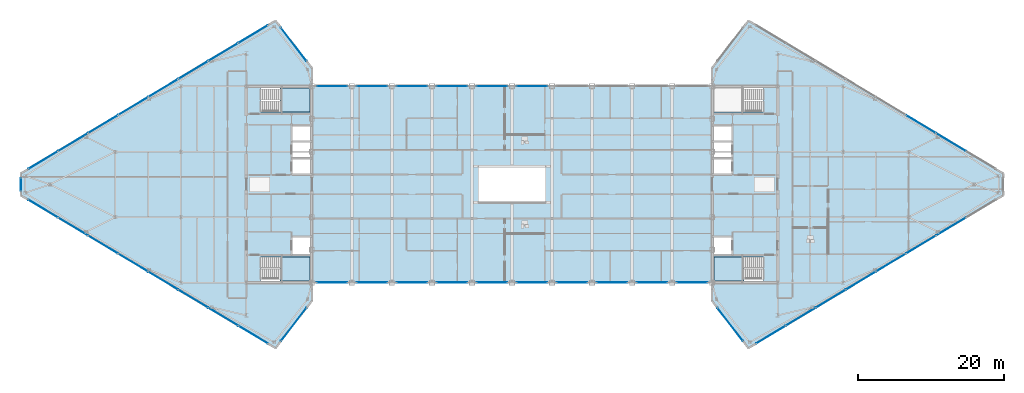
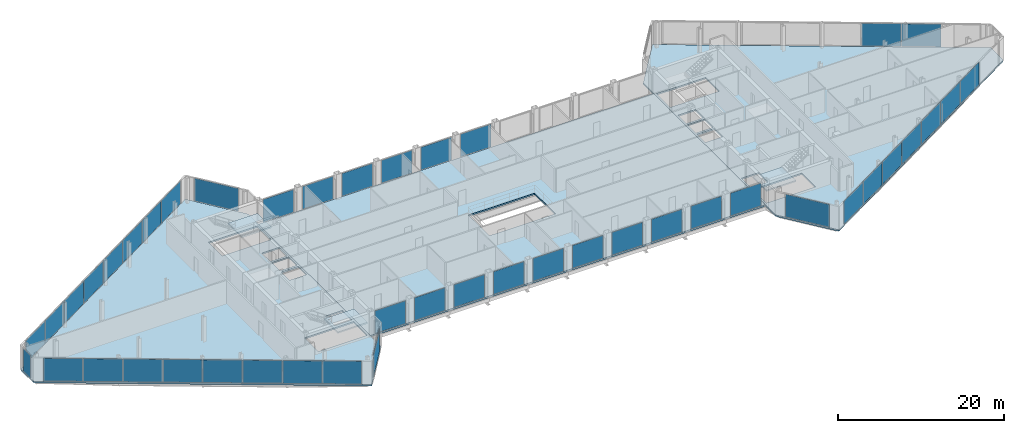
# One storey, part 19 of 28: 45 plates, 6 slabs, 27 elements without a shape of their own.
"""IFC4 building model written with IfcOpenShell, lengths in metres."""

from ifc_helpers import new_model, si_unit, direction, frame, origin, origin_2d, place, context, subcontext, project, spatial, polyline, rectangle, outline, extrude, source, transform, mapped, material, layer, layer_set, type_object, type_shapes, element, aggregate, save


model = new_model("IFC4")

# Units and contexts
model_context = context("Model", 3, precision=1e-05, world=origin(), true_north=direction((0.0, 1.0)))
body_context = subcontext(model_context, "Body", "Model", "MODEL_VIEW")
ifc_project = project(units=[si_unit("LENGTHUNIT", "METRE"), si_unit("AREAUNIT", "SQUARE_METRE"), si_unit("VOLUMEUNIT", "CUBIC_METRE"), si_unit("PLANEANGLEUNIT", "RADIAN"), si_unit("MASSUNIT", "GRAM", prefix="KILO")], contexts=[model_context])

# Site, building, storey
site_placement = place(None, origin())
site = spatial("IfcSite", under=ifc_project, at=site_placement, CompositionType="ELEMENT")
building_placement = place(site_placement, origin())
building = spatial("IfcBuilding", under=site, at=building_placement, Name="Seokmaru Belvedere", CompositionType="ELEMENT")
storey_placement = place(building_placement, frame((0.0, 0.0, 265.64990234375)))
storey = spatial("IfcBuildingStorey", under=building, at=storey_placement, Name="L70", CompositionType="ELEMENT", Elevation=265.64990234375)

# Stair, slab
ifc_material_1 = material(Name="Concrete C40 (40 MPa)", Category="concrete")
stair_type = type_object("IfcStairType", Name="Sky-Gate Residential Core Dog-Leg Stair 3750", PredefinedType="TWO_STRAIGHT_RUN_STAIR", material=ifc_material_1)
stair_1_placement = place(storey_placement, origin())
stair_1 = element("IfcStair", 1, at=stair_1_placement, inside=storey, type_object=stair_type, Name="L70 Special Escape Stair ST-W1", PredefinedType="TWO_STRAIGHT_RUN_STAIR")
ifc_layer_1 = layer(ifc_material_1, 0.199951171875)
ifc_layer_set_1 = layer_set([ifc_layer_1], Name="Concrete C40 (40 MPa)")
slab_type_1 = type_object("IfcSlabType", Name="Reinforced Concrete Stair Landing Slab 200", PredefinedType="LANDING", material=ifc_layer_set_1)
slab_1_placement = place(storey_placement, frame((0.0, 0.0, 1.675048828125)))
slab_1 = element("IfcSlab", 2, at=slab_1_placement, type_object=slab_type_1, Name="ST-W1 landing 1", PredefinedType="LANDING", context=body_context, shape_type="SweptSolid", body=[
    extrude(outline(polyline([(-31.8798828125, -13.239990234375), (-27.760009765625, -13.239990234375), (-27.760009765625, -9.949951171875), (-31.8798828125, -9.949951171875), (-31.8798828125, -13.239990234375)])), origin(), (0.0, 0.0, 1.0), 0.199951171875),
])
aggregate(stair_1, [slab_1])

stair_2_placement = place(storey_placement, origin())
stair_2 = element("IfcStair", 3, at=stair_2_placement, inside=storey, type_object=stair_type, Name="L70 Special Escape Stair ST-W2", PredefinedType="TWO_STRAIGHT_RUN_STAIR")
slab_2_placement = place(storey_placement, frame((0.0, 0.0, 1.675048828125)))
slab_2 = element("IfcSlab", 4, at=slab_2_placement, type_object=slab_type_1, Name="ST-W2 landing 1", PredefinedType="LANDING", context=body_context, shape_type="SweptSolid", body=[
    extrude(outline(polyline([(-31.8798828125, 9.949951171875), (-27.760009765625, 9.949951171875), (-27.760009765625, 13.239990234375), (-31.8798828125, 13.239990234375), (-31.8798828125, 9.949951171875)])), origin(), (0.0, 0.0, 1.0), 0.199951171875),
])
aggregate(stair_2, [slab_2])

stair_3_placement = place(storey_placement, origin())
stair_3 = element("IfcStair", 5, at=stair_3_placement, inside=storey, type_object=stair_type, Name="L70 Special Escape Stair ST-E1", PredefinedType="TWO_STRAIGHT_RUN_STAIR")
slab_3_placement = place(storey_placement, frame((0.0, 0.0, 1.675048828125)))
slab_3 = element("IfcSlab", 6, at=slab_3_placement, type_object=slab_type_1, Name="ST-E1 landing 1", PredefinedType="LANDING", context=body_context, shape_type="SweptSolid", body=[
    extrude(outline(polyline([(27.760009765625, -13.239990234375), (31.8798828125, -13.239990234375), (31.8798828125, -9.949951171875), (27.760009765625, -9.949951171875), (27.760009765625, -13.239990234375)])), origin(), (0.0, 0.0, 1.0), 0.199951171875),
])
aggregate(stair_3, [slab_3])

# Slabs
ifc_layer_2 = layer(ifc_material_1, 0.219970703125)
ifc_layer_set_2 = layer_set([ifc_layer_2], Name="Concrete C40 (40 MPa)")
slab_type_2 = type_object("IfcSlabType", Name="Typical Tower Composite Floor Slab 220", PredefinedType="FLOOR", material=ifc_layer_set_2)
slab_4_placement = place(storey_placement, frame((0.0, 0.0, -0.219970703125)))
element("IfcSlab", 7, at=slab_4_placement, inside=storey, type_object=slab_type_2, Name="L70 West Leg Floor Slab", PredefinedType="FLOOR", context=body_context, shape_type="SweptSolid", body=[
    extrude(outline(polyline([(-27.5, -16.0), (-27.5, 16.0), (-32.5, 22.5), (-67.5, 1.5), (-67.5, -1.5), (-32.5, -22.5), (-27.5, -16.0)]), holes=[polyline([(-34.60009765625, -13.25), (-27.75, -13.25), (-27.75, -9.949951171875), (-34.60009765625, -9.949951171875), (-34.60009765625, -13.25)]), polyline([(-34.60009765625, 9.949951171875), (-27.75, 9.949951171875), (-27.75, 13.25), (-34.60009765625, 13.25), (-34.60009765625, 9.949951171875)]), polyline([(-30.14990234375, -9.550048828125), (-27.75, -9.550048828125), (-27.75, -7.25), (-30.14990234375, -7.25), (-30.14990234375, -9.550048828125)]), polyline([(-30.14990234375, 1.449951171875), (-27.75, 1.449951171875), (-27.75, 3.449951171875), (-30.14990234375, 3.449951171875), (-30.14990234375, 1.449951171875)]), polyline([(-30.14990234375, 3.75), (-27.75, 3.75), (-27.75, 5.75), (-30.14990234375, 5.75), (-30.14990234375, 3.75)]), polyline([(-30.14990234375, 6.050048828125), (-27.75, 6.050048828125), (-27.75, 8.050048828125), (-30.14990234375, 8.050048828125), (-30.14990234375, 6.050048828125)])]), origin(), (0.0, 0.0, 1.0), 0.219970703125),
])
slab_5_placement = place(storey_placement, frame((0.0, 0.0, -0.219970703125)))
element("IfcSlab", 8, at=slab_5_placement, inside=storey, type_object=slab_type_2, Name="L70 East Leg Floor Slab", PredefinedType="FLOOR", context=body_context, shape_type="SweptSolid", body=[
    extrude(outline(polyline([(32.5, -22.5), (67.5, -1.5), (67.5, 1.5), (32.5, 22.5), (27.5, 16.0), (27.5, -16.0), (32.5, -22.5)]), holes=[polyline([(27.75, -13.25), (34.60009765625, -13.25), (34.60009765625, -9.949951171875), (27.75, -9.949951171875), (27.75, -13.25)]), polyline([(27.75, 9.949951171875), (34.60009765625, 9.949951171875), (34.60009765625, 13.25), (27.75, 13.25), (27.75, 9.949951171875)]), polyline([(27.75, -9.550048828125), (30.14990234375, -9.550048828125), (30.14990234375, -7.25), (27.75, -7.25), (27.75, -9.550048828125)]), polyline([(27.75, 1.449951171875), (30.14990234375, 1.449951171875), (30.14990234375, 3.449951171875), (27.75, 3.449951171875), (27.75, 1.449951171875)]), polyline([(27.75, 3.75), (30.14990234375, 3.75), (30.14990234375, 5.75), (27.75, 5.75), (27.75, 3.75)]), polyline([(27.75, 6.050048828125), (30.14990234375, 6.050048828125), (30.14990234375, 8.050048828125), (27.75, 8.050048828125), (27.75, 6.050048828125)])]), origin(), (0.0, 0.0, 1.0), 0.219970703125),
])
slab_6_placement = place(storey_placement, frame((0.0, 0.0, -0.219970703125)))
element("IfcSlab", 9, at=slab_6_placement, inside=storey, type_object=slab_type_2, Name="L70 Sky-Gate Bridge Floor Slab", PredefinedType="FLOOR", context=body_context, shape_type="SweptSolid", body=[
    extrude(outline(polyline([(-27.5, -13.5), (27.5, -13.5), (27.5, 13.5), (-27.5, 13.5), (-27.5, -13.5)]), holes=[polyline([(-4.60009765625, -2.5), (4.60009765625, -2.5), (4.60009765625, 2.5), (-4.60009765625, 2.5), (-4.60009765625, -2.5)])]), origin(), (0.0, 0.0, 1.0), 0.219970703125),
])

# Curtain wall, plate
ifc_material_2 = material(Name="Bronze Triple Insulating Glass", Category="glass")
ifc_layer_3 = layer(ifc_material_2, 0.219970703125)
ifc_layer_set_3 = layer_set([ifc_layer_3], Name="Bronze Triple Insulating Glass")
curtain_wall_type = type_object("IfcCurtainWallType", Name="Sky-Gate Bridge Panorama Curtain Wall System CW-6", PredefinedType="NOTDEFINED", material=ifc_layer_set_3)
curtain_wall_1_placement = place(storey_placement, origin())
curtain_wall_1 = element("IfcCurtainWall", 10, at=curtain_wall_1_placement, inside=storey, type_object=curtain_wall_type, Name="L70 Curtain Wall WF2", PredefinedType="NOTDEFINED")
ifc_layer_4 = layer(ifc_material_2, 0.0419921875)
ifc_layer_set_4 = layer_set([ifc_layer_4], Name="Bronze Triple Insulating Glass")
plate_type = type_object("IfcPlateType", Name="Acoustic Laminated Panorama Glazing Panel 42", PredefinedType="CURTAIN_PANEL", material=ifc_layer_set_4)
shared_shape_1 = source(origin(), body_context, "Body", "SweptSolid", [
    extrude(rectangle(XDim=5.740478515625, YDim=0.0419921875, at=origin_2d()), origin(), (0.0, 0.0, 1.0), 3.340087890625),
])
plate_1_placement = place(storey_placement, frame((-30.0, 19.25, 0.0751953125), z_axis=(0.0, 0.0, 1.0), x_axis=(-0.609701187349, 0.792631353244, 0.0)))
plate_1 = element("IfcPlate", 11, at=plate_1_placement, type_object=plate_type, Name="CW:L70:WF2 Glazing Panel 1-1", PredefinedType="CURTAIN_PANEL", context=body_context, shape_type="MappedRepresentation", body=[
    mapped(shared_shape_1, transform((0.0, 0.0, 0.0), scale=1.0)),
])
aggregate(curtain_wall_1, [plate_1])

curtain_wall_2_placement = place(storey_placement, origin())
curtain_wall_2 = element("IfcCurtainWall", 12, at=curtain_wall_2_placement, inside=storey, type_object=curtain_wall_type, Name="L70 Curtain Wall WF6", PredefinedType="NOTDEFINED")
plate_2_placement = place(storey_placement, frame((-30.0, -19.25, 0.0751953125), z_axis=(0.0, 0.0, 1.0), x_axis=(0.609701187349, 0.792631353244, 0.0)))
plate_2 = element("IfcPlate", 13, at=plate_2_placement, type_object=plate_type, Name="CW:L70:WF6 Glazing Panel 1-1", PredefinedType="CURTAIN_PANEL", context=body_context, shape_type="MappedRepresentation", body=[
    mapped(shared_shape_1, transform((0.0, 0.0, 0.0), scale=1.0)),
])
aggregate(curtain_wall_2, [plate_2])

curtain_wall_3_placement = place(storey_placement, origin())
curtain_wall_3 = element("IfcCurtainWall", 14, at=curtain_wall_3_placement, inside=storey, type_object=curtain_wall_type, Name="L70 Curtain Wall EF6", PredefinedType="NOTDEFINED")
plate_3_placement = place(storey_placement, frame((30.0, -19.25, 0.0751953125), z_axis=(0.0, 0.0, 1.0), x_axis=(0.609701187349, -0.792631353244, 0.0)))
plate_3 = element("IfcPlate", 15, at=plate_3_placement, type_object=plate_type, Name="CW:L70:EF6 Glazing Panel 1-1", PredefinedType="CURTAIN_PANEL", context=body_context, shape_type="MappedRepresentation", body=[
    mapped(shared_shape_1, transform((0.0, 0.0, 0.0), scale=1.0)),
])
aggregate(curtain_wall_3, [plate_3])

# Curtain wall, plates
curtain_wall_4_placement = place(storey_placement, origin())
curtain_wall_4 = element("IfcCurtainWall", 16, at=curtain_wall_4_placement, inside=storey, type_object=curtain_wall_type, Name="L70 Curtain Wall WF3", PredefinedType="NOTDEFINED")
shared_shape_2 = source(origin(), body_context, "Body", "SweptSolid", [
    extrude(rectangle(XDim=4.694580078125, YDim=0.0419921875, at=origin_2d()), origin(), (0.0, 0.0, 1.0), 3.340087890625),
])
plate_4_placement = place(storey_placement, frame((-35.5673828125, 20.659423828125, 0.0751953125), z_axis=(0.0, 0.0, 1.0), x_axis=(-0.85749343335, -0.514494909364, 0.0)))
plate_4 = element("IfcPlate", 17, at=plate_4_placement, type_object=plate_type, Name="CW:L70:WF3 Glazing Panel 1-1", PredefinedType="CURTAIN_PANEL", context=body_context, shape_type="MappedRepresentation", body=[
    mapped(shared_shape_2, transform((0.0, 0.0, 0.0), scale=1.0)),
])
plate_5_placement = place(storey_placement, frame((-64.4326171875, 3.340576171875, 0.0751953125), z_axis=(0.0, 0.0, 1.0), x_axis=(-0.85749343335, -0.514494909364, 0.0)))
plate_5 = element("IfcPlate", 18, at=plate_5_placement, type_object=plate_type, Name="CW:L70:WF3 Glazing Panel 8-1", PredefinedType="CURTAIN_PANEL", context=body_context, shape_type="MappedRepresentation", body=[
    mapped(shared_shape_2, transform((0.0, 0.0, 0.0), scale=1.0)),
])

curtain_wall_5_placement = place(storey_placement, origin())
curtain_wall_5 = element("IfcCurtainWall", 19, at=curtain_wall_5_placement, inside=storey, type_object=curtain_wall_type, Name="L70 Curtain Wall WF5", PredefinedType="NOTDEFINED")
plate_6_placement = place(storey_placement, frame((-64.4326171875, -3.340576171875, 0.0751953125), z_axis=(0.0, 0.0, 1.0), x_axis=(0.85749343335, -0.514494909364, 0.0)))
plate_6 = element("IfcPlate", 20, at=plate_6_placement, type_object=plate_type, Name="CW:L70:WF5 Glazing Panel 1-1", PredefinedType="CURTAIN_PANEL", context=body_context, shape_type="MappedRepresentation", body=[
    mapped(shared_shape_2, transform((0.0, 0.0, 0.0), scale=1.0)),
])
plate_7_placement = place(storey_placement, frame((-35.5673828125, -20.659423828125, 0.0751953125), z_axis=(0.0, 0.0, 1.0), x_axis=(0.85749343335, -0.514494909364, 0.0)))
plate_7 = element("IfcPlate", 21, at=plate_7_placement, type_object=plate_type, Name="CW:L70:WF5 Glazing Panel 8-1", PredefinedType="CURTAIN_PANEL", context=body_context, shape_type="MappedRepresentation", body=[
    mapped(shared_shape_2, transform((0.0, 0.0, 0.0), scale=1.0)),
])

# Curtain wall, plate
curtain_wall_6_placement = place(storey_placement, origin())
curtain_wall_6 = element("IfcCurtainWall", 22, at=curtain_wall_6_placement, inside=storey, type_object=curtain_wall_type, Name="L70 Curtain Wall EF1", PredefinedType="NOTDEFINED")
plate_8_placement = place(storey_placement, frame((35.5673828125, -20.659423828125, 0.0751953125), z_axis=(0.0, 0.0, 1.0), x_axis=(0.85749343335, 0.514494909364, 0.0)))
plate_8 = element("IfcPlate", 23, at=plate_8_placement, type_object=plate_type, Name="CW:L70:EF1 Glazing Panel 1-1", PredefinedType="CURTAIN_PANEL", context=body_context, shape_type="MappedRepresentation", body=[
    mapped(shared_shape_2, transform((0.0, 0.0, 0.0), scale=1.0)),
])

# Plate
shared_shape_3 = source(origin(), body_context, "Body", "SweptSolid", [
    extrude(rectangle(XDim=4.734619140625, YDim=0.0419921875, at=origin_2d()), origin(), (0.0, 0.0, 1.0), 3.340087890625),
])
plate_9_placement = place(storey_placement, frame((-39.6787109375, 18.192626953125, 0.0751953125), z_axis=(0.0, 0.0, 1.0), x_axis=(-0.85749343335, -0.514494909364, 0.0)))
plate_9 = element("IfcPlate", 24, at=plate_9_placement, type_object=plate_type, Name="CW:L70:WF3 Glazing Panel 2-1", PredefinedType="CURTAIN_PANEL", context=body_context, shape_type="MappedRepresentation", body=[
    mapped(shared_shape_3, transform((0.0, 0.0, 0.0), scale=1.0)),
])

plate_10_placement = place(storey_placement, frame((-43.807373046875, 15.715576171875, 0.0751953125), z_axis=(0.0, 0.0, 1.0), x_axis=(-0.85749343335, -0.514494909364, 0.0)))
plate_10 = element("IfcPlate", 25, at=plate_10_placement, type_object=plate_type, Name="CW:L70:WF3 Glazing Panel 3-1", PredefinedType="CURTAIN_PANEL", context=body_context, shape_type="MappedRepresentation", body=[
    mapped(shared_shape_3, transform((0.0, 0.0, 0.0), scale=1.0)),
])

plate_11_placement = place(storey_placement, frame((-47.935791015625, 13.238525390625, 0.0751953125), z_axis=(0.0, 0.0, 1.0), x_axis=(-0.85749343335, -0.514494909364, 0.0)))
plate_11 = element("IfcPlate", 26, at=plate_11_placement, type_object=plate_type, Name="CW:L70:WF3 Glazing Panel 4-1", PredefinedType="CURTAIN_PANEL", context=body_context, shape_type="MappedRepresentation", body=[
    mapped(shared_shape_3, transform((0.0, 0.0, 0.0), scale=1.0)),
])

plate_12_placement = place(storey_placement, frame((-52.064208984375, 10.761474609375, 0.0751953125), z_axis=(0.0, 0.0, 1.0), x_axis=(-0.85749343335, -0.514494909364, 0.0)))
plate_12 = element("IfcPlate", 27, at=plate_12_placement, type_object=plate_type, Name="CW:L70:WF3 Glazing Panel 5-1", PredefinedType="CURTAIN_PANEL", context=body_context, shape_type="MappedRepresentation", body=[
    mapped(shared_shape_3, transform((0.0, 0.0, 0.0), scale=1.0)),
])

plate_13_placement = place(storey_placement, frame((-56.192626953125, 8.284423828125, 0.0751953125), z_axis=(0.0, 0.0, 1.0), x_axis=(-0.85749343335, -0.514494909364, 0.0)))
plate_13 = element("IfcPlate", 28, at=plate_13_placement, type_object=plate_type, Name="CW:L70:WF3 Glazing Panel 6-1", PredefinedType="CURTAIN_PANEL", context=body_context, shape_type="MappedRepresentation", body=[
    mapped(shared_shape_3, transform((0.0, 0.0, 0.0), scale=1.0)),
])

plate_14_placement = place(storey_placement, frame((-60.3212890625, 5.807373046875, 0.0751953125), z_axis=(0.0, 0.0, 1.0), x_axis=(-0.85749343335, -0.514494909364, 0.0)))
plate_14 = element("IfcPlate", 29, at=plate_14_placement, type_object=plate_type, Name="CW:L70:WF3 Glazing Panel 7-1", PredefinedType="CURTAIN_PANEL", context=body_context, shape_type="MappedRepresentation", body=[
    mapped(shared_shape_3, transform((0.0, 0.0, 0.0), scale=1.0)),
])

aggregate(curtain_wall_4, [plate_4, plate_9, plate_10, plate_11, plate_12, plate_13, plate_14, plate_5])

plate_15_placement = place(storey_placement, frame((-60.3212890625, -5.807373046875, 0.0751953125), z_axis=(0.0, 0.0, 1.0), x_axis=(0.85749343335, -0.514494909364, 0.0)))
plate_15 = element("IfcPlate", 30, at=plate_15_placement, type_object=plate_type, Name="CW:L70:WF5 Glazing Panel 2-1", PredefinedType="CURTAIN_PANEL", context=body_context, shape_type="MappedRepresentation", body=[
    mapped(shared_shape_3, transform((0.0, 0.0, 0.0), scale=1.0)),
])

plate_16_placement = place(storey_placement, frame((-56.192626953125, -8.284423828125, 0.0751953125), z_axis=(0.0, 0.0, 1.0), x_axis=(0.85749343335, -0.514494909364, 0.0)))
plate_16 = element("IfcPlate", 31, at=plate_16_placement, type_object=plate_type, Name="CW:L70:WF5 Glazing Panel 3-1", PredefinedType="CURTAIN_PANEL", context=body_context, shape_type="MappedRepresentation", body=[
    mapped(shared_shape_3, transform((0.0, 0.0, 0.0), scale=1.0)),
])

plate_17_placement = place(storey_placement, frame((-52.064208984375, -10.761474609375, 0.0751953125), z_axis=(0.0, 0.0, 1.0), x_axis=(0.85749343335, -0.514494909364, 0.0)))
plate_17 = element("IfcPlate", 32, at=plate_17_placement, type_object=plate_type, Name="CW:L70:WF5 Glazing Panel 4-1", PredefinedType="CURTAIN_PANEL", context=body_context, shape_type="MappedRepresentation", body=[
    mapped(shared_shape_3, transform((0.0, 0.0, 0.0), scale=1.0)),
])

plate_18_placement = place(storey_placement, frame((-47.935791015625, -13.238525390625, 0.0751953125), z_axis=(0.0, 0.0, 1.0), x_axis=(0.85749343335, -0.514494909364, 0.0)))
plate_18 = element("IfcPlate", 33, at=plate_18_placement, type_object=plate_type, Name="CW:L70:WF5 Glazing Panel 5-1", PredefinedType="CURTAIN_PANEL", context=body_context, shape_type="MappedRepresentation", body=[
    mapped(shared_shape_3, transform((0.0, 0.0, 0.0), scale=1.0)),
])

plate_19_placement = place(storey_placement, frame((-43.807373046875, -15.715576171875, 0.0751953125), z_axis=(0.0, 0.0, 1.0), x_axis=(0.85749343335, -0.514494909364, 0.0)))
plate_19 = element("IfcPlate", 34, at=plate_19_placement, type_object=plate_type, Name="CW:L70:WF5 Glazing Panel 6-1", PredefinedType="CURTAIN_PANEL", context=body_context, shape_type="MappedRepresentation", body=[
    mapped(shared_shape_3, transform((0.0, 0.0, 0.0), scale=1.0)),
])

plate_20_placement = place(storey_placement, frame((-39.6787109375, -18.192626953125, 0.0751953125), z_axis=(0.0, 0.0, 1.0), x_axis=(0.85749343335, -0.514494909364, 0.0)))
plate_20 = element("IfcPlate", 35, at=plate_20_placement, type_object=plate_type, Name="CW:L70:WF5 Glazing Panel 7-1", PredefinedType="CURTAIN_PANEL", context=body_context, shape_type="MappedRepresentation", body=[
    mapped(shared_shape_3, transform((0.0, 0.0, 0.0), scale=1.0)),
])

aggregate(curtain_wall_5, [plate_6, plate_15, plate_16, plate_17, plate_18, plate_19, plate_20, plate_7])

plate_21_placement = place(storey_placement, frame((39.6787109375, -18.192626953125, 0.0751953125), z_axis=(0.0, 0.0, 1.0), x_axis=(0.85749343335, 0.514494909364, 0.0)))
plate_21 = element("IfcPlate", 36, at=plate_21_placement, type_object=plate_type, Name="CW:L70:EF1 Glazing Panel 2-1", PredefinedType="CURTAIN_PANEL", context=body_context, shape_type="MappedRepresentation", body=[
    mapped(shared_shape_3, transform((0.0, 0.0, 0.0), scale=1.0)),
])

plate_22_placement = place(storey_placement, frame((43.807373046875, -15.715576171875, 0.0751953125), z_axis=(0.0, 0.0, 1.0), x_axis=(0.85749343335, 0.514494909364, 0.0)))
plate_22 = element("IfcPlate", 37, at=plate_22_placement, type_object=plate_type, Name="CW:L70:EF1 Glazing Panel 3-1", PredefinedType="CURTAIN_PANEL", context=body_context, shape_type="MappedRepresentation", body=[
    mapped(shared_shape_3, transform((0.0, 0.0, 0.0), scale=1.0)),
])

plate_23_placement = place(storey_placement, frame((47.935791015625, -13.238525390625, 0.0751953125), z_axis=(0.0, 0.0, 1.0), x_axis=(0.85749343335, 0.514494909364, 0.0)))
plate_23 = element("IfcPlate", 38, at=plate_23_placement, type_object=plate_type, Name="CW:L70:EF1 Glazing Panel 4-1", PredefinedType="CURTAIN_PANEL", context=body_context, shape_type="MappedRepresentation", body=[
    mapped(shared_shape_3, transform((0.0, 0.0, 0.0), scale=1.0)),
])

plate_24_placement = place(storey_placement, frame((52.064208984375, -10.761474609375, 0.0751953125), z_axis=(0.0, 0.0, 1.0), x_axis=(0.85749343335, 0.514494909364, 0.0)))
plate_24 = element("IfcPlate", 39, at=plate_24_placement, type_object=plate_type, Name="CW:L70:EF1 Glazing Panel 5-1", PredefinedType="CURTAIN_PANEL", context=body_context, shape_type="MappedRepresentation", body=[
    mapped(shared_shape_3, transform((0.0, 0.0, 0.0), scale=1.0)),
])

plate_25_placement = place(storey_placement, frame((56.192626953125, -8.284423828125, 0.0751953125), z_axis=(0.0, 0.0, 1.0), x_axis=(0.85749343335, 0.514494909364, 0.0)))
plate_25 = element("IfcPlate", 40, at=plate_25_placement, type_object=plate_type, Name="CW:L70:EF1 Glazing Panel 6-1", PredefinedType="CURTAIN_PANEL", context=body_context, shape_type="MappedRepresentation", body=[
    mapped(shared_shape_3, transform((0.0, 0.0, 0.0), scale=1.0)),
])

plate_26_placement = place(storey_placement, frame((60.3212890625, -5.807373046875, 0.0751953125), z_axis=(0.0, 0.0, 1.0), x_axis=(0.85749343335, 0.514494909364, 0.0)))
plate_26 = element("IfcPlate", 41, at=plate_26_placement, type_object=plate_type, Name="CW:L70:EF1 Glazing Panel 7-1", PredefinedType="CURTAIN_PANEL", context=body_context, shape_type="MappedRepresentation", body=[
    mapped(shared_shape_3, transform((0.0, 0.0, 0.0), scale=1.0)),
])

aggregate(curtain_wall_6, [plate_8, plate_21, plate_22, plate_23, plate_24, plate_25, plate_26])

# Curtain wall, plates
curtain_wall_7_placement = place(storey_placement, origin())
curtain_wall_7 = element("IfcCurtainWall", 42, at=curtain_wall_7_placement, inside=storey, type_object=curtain_wall_type, Name="L70 Curtain Wall EF3", PredefinedType="NOTDEFINED")
plate_27_placement = place(storey_placement, frame((60.3212890625, 5.807373046875, 0.0751953125), z_axis=(0.0, 0.0, 1.0), x_axis=(-0.85749343335, 0.514494909364, 0.0)))
plate_27 = element("IfcPlate", 43, at=plate_27_placement, type_object=plate_type, Name="CW:L70:EF3 Glazing Panel 2-1", PredefinedType="CURTAIN_PANEL", context=body_context, shape_type="MappedRepresentation", body=[
    mapped(shared_shape_3, transform((0.0, 0.0, 0.0), scale=1.0)),
])
plate_28_placement = place(storey_placement, frame((56.192626953125, 8.284423828125, 0.0751953125), z_axis=(0.0, 0.0, 1.0), x_axis=(-0.85749343335, 0.514494909364, 0.0)))
plate_28 = element("IfcPlate", 44, at=plate_28_placement, type_object=plate_type, Name="CW:L70:EF3 Glazing Panel 3-1", PredefinedType="CURTAIN_PANEL", context=body_context, shape_type="MappedRepresentation", body=[
    mapped(shared_shape_3, transform((0.0, 0.0, 0.0), scale=1.0)),
])
aggregate(curtain_wall_7, [plate_27, plate_28])

# Curtain wall, plate
curtain_wall_8_placement = place(storey_placement, origin())
curtain_wall_8 = element("IfcCurtainWall", 45, at=curtain_wall_8_placement, inside=storey, type_object=curtain_wall_type, Name="L70 Curtain Wall WF4", PredefinedType="NOTDEFINED")
shared_shape_4 = source(origin(), body_context, "Body", "SweptSolid", [
    extrude(rectangle(XDim=1.739990234375, YDim=0.0419921875, at=origin_2d()), origin(), (0.0, 0.0, 1.0), 3.340087890625),
])
plate_29_placement = place(storey_placement, frame((-67.5, 0.0, 0.0751953125), z_axis=(0.0, 0.0, 1.0), x_axis=(0.0, -1.0, 0.0)))
plate_29 = element("IfcPlate", 46, at=plate_29_placement, type_object=plate_type, Name="CW:L70:WF4 Glazing Panel 1-1", PredefinedType="CURTAIN_PANEL", context=body_context, shape_type="MappedRepresentation", body=[
    mapped(shared_shape_4, transform((0.0, 0.0, 0.0), scale=1.0)),
])
aggregate(curtain_wall_8, [plate_29])

curtain_wall_9_placement = place(storey_placement, origin())
curtain_wall_9 = element("IfcCurtainWall", 47, at=curtain_wall_9_placement, inside=storey, type_object=curtain_wall_type, Name="L70 Curtain Wall BR_S01", PredefinedType="NOTDEFINED")
shared_shape_5 = source(origin(), body_context, "Body", "SweptSolid", [
    extrude(rectangle(XDim=4.239990234375, YDim=0.0419921875, at=origin_2d()), origin(), (0.0, 0.0, 1.0), 3.340087890625),
])
type_shapes(plate_type, [shared_shape_1, shared_shape_2, shared_shape_3, shared_shape_4, shared_shape_5])
plate_30_placement = place(storey_placement, frame((-24.75, -13.5, 0.0751953125), z_axis=(0.0, 0.0, 1.0), x_axis=(1.0, 0.0, 0.0)))
plate_30 = element("IfcPlate", 48, at=plate_30_placement, type_object=plate_type, Name="CW:L70:BR_S01 Glazing Panel 1-1", PredefinedType="CURTAIN_PANEL", context=body_context, shape_type="MappedRepresentation", body=[
    mapped(shared_shape_5, transform((0.0, 0.0, 0.0), scale=1.0)),
])
aggregate(curtain_wall_9, [plate_30])

curtain_wall_10_placement = place(storey_placement, origin())
curtain_wall_10 = element("IfcCurtainWall", 49, at=curtain_wall_10_placement, inside=storey, type_object=curtain_wall_type, Name="L70 Curtain Wall BR_N01", PredefinedType="NOTDEFINED")
plate_31_placement = place(storey_placement, frame((-24.75, 13.5, 0.0751953125), z_axis=(0.0, 0.0, 1.0), x_axis=(-1.0, 0.0, 0.0)))
plate_31 = element("IfcPlate", 50, at=plate_31_placement, type_object=plate_type, Name="CW:L70:BR_N01 Glazing Panel 1-1", PredefinedType="CURTAIN_PANEL", context=body_context, shape_type="MappedRepresentation", body=[
    mapped(shared_shape_5, transform((0.0, 0.0, 0.0), scale=1.0)),
])
aggregate(curtain_wall_10, [plate_31])

curtain_wall_11_placement = place(storey_placement, origin())
curtain_wall_11 = element("IfcCurtainWall", 51, at=curtain_wall_11_placement, inside=storey, type_object=curtain_wall_type, Name="L70 Curtain Wall BR_S02", PredefinedType="NOTDEFINED")
plate_32_placement = place(storey_placement, frame((-19.25, -13.5, 0.0751953125), z_axis=(0.0, 0.0, 1.0), x_axis=(1.0, 0.0, 0.0)))
plate_32 = element("IfcPlate", 52, at=plate_32_placement, type_object=plate_type, Name="CW:L70:BR_S02 Glazing Panel 1-1", PredefinedType="CURTAIN_PANEL", context=body_context, shape_type="MappedRepresentation", body=[
    mapped(shared_shape_5, transform((0.0, 0.0, 0.0), scale=1.0)),
])
aggregate(curtain_wall_11, [plate_32])

curtain_wall_12_placement = place(storey_placement, origin())
curtain_wall_12 = element("IfcCurtainWall", 53, at=curtain_wall_12_placement, inside=storey, type_object=curtain_wall_type, Name="L70 Curtain Wall BR_N02", PredefinedType="NOTDEFINED")
plate_33_placement = place(storey_placement, frame((-19.25, 13.5, 0.0751953125), z_axis=(0.0, 0.0, 1.0), x_axis=(-1.0, 0.0, 0.0)))
plate_33 = element("IfcPlate", 54, at=plate_33_placement, type_object=plate_type, Name="CW:L70:BR_N02 Glazing Panel 1-1", PredefinedType="CURTAIN_PANEL", context=body_context, shape_type="MappedRepresentation", body=[
    mapped(shared_shape_5, transform((0.0, 0.0, 0.0), scale=1.0)),
])
aggregate(curtain_wall_12, [plate_33])

curtain_wall_13_placement = place(storey_placement, origin())
curtain_wall_13 = element("IfcCurtainWall", 55, at=curtain_wall_13_placement, inside=storey, type_object=curtain_wall_type, Name="L70 Curtain Wall BR_S03", PredefinedType="NOTDEFINED")
plate_34_placement = place(storey_placement, frame((-13.75, -13.5, 0.0751953125), z_axis=(0.0, 0.0, 1.0), x_axis=(1.0, 0.0, 0.0)))
plate_34 = element("IfcPlate", 56, at=plate_34_placement, type_object=plate_type, Name="CW:L70:BR_S03 Glazing Panel 1-1", PredefinedType="CURTAIN_PANEL", context=body_context, shape_type="MappedRepresentation", body=[
    mapped(shared_shape_5, transform((0.0, 0.0, 0.0), scale=1.0)),
])
aggregate(curtain_wall_13, [plate_34])

curtain_wall_14_placement = place(storey_placement, origin())
curtain_wall_14 = element("IfcCurtainWall", 57, at=curtain_wall_14_placement, inside=storey, type_object=curtain_wall_type, Name="L70 Curtain Wall BR_N03", PredefinedType="NOTDEFINED")
plate_35_placement = place(storey_placement, frame((-13.75, 13.5, 0.0751953125), z_axis=(0.0, 0.0, 1.0), x_axis=(-1.0, 0.0, 0.0)))
plate_35 = element("IfcPlate", 58, at=plate_35_placement, type_object=plate_type, Name="CW:L70:BR_N03 Glazing Panel 1-1", PredefinedType="CURTAIN_PANEL", context=body_context, shape_type="MappedRepresentation", body=[
    mapped(shared_shape_5, transform((0.0, 0.0, 0.0), scale=1.0)),
])
aggregate(curtain_wall_14, [plate_35])

curtain_wall_15_placement = place(storey_placement, origin())
curtain_wall_15 = element("IfcCurtainWall", 59, at=curtain_wall_15_placement, inside=storey, type_object=curtain_wall_type, Name="L70 Curtain Wall BR_S04", PredefinedType="NOTDEFINED")
plate_36_placement = place(storey_placement, frame((-8.25, -13.5, 0.0751953125), z_axis=(0.0, 0.0, 1.0), x_axis=(1.0, 0.0, 0.0)))
plate_36 = element("IfcPlate", 60, at=plate_36_placement, type_object=plate_type, Name="CW:L70:BR_S04 Glazing Panel 1-1", PredefinedType="CURTAIN_PANEL", context=body_context, shape_type="MappedRepresentation", body=[
    mapped(shared_shape_5, transform((0.0, 0.0, 0.0), scale=1.0)),
])
aggregate(curtain_wall_15, [plate_36])

curtain_wall_16_placement = place(storey_placement, origin())
curtain_wall_16 = element("IfcCurtainWall", 61, at=curtain_wall_16_placement, inside=storey, type_object=curtain_wall_type, Name="L70 Curtain Wall BR_N04", PredefinedType="NOTDEFINED")
plate_37_placement = place(storey_placement, frame((-8.25, 13.5, 0.0751953125), z_axis=(0.0, 0.0, 1.0), x_axis=(-1.0, 0.0, 0.0)))
plate_37 = element("IfcPlate", 62, at=plate_37_placement, type_object=plate_type, Name="CW:L70:BR_N04 Glazing Panel 1-1", PredefinedType="CURTAIN_PANEL", context=body_context, shape_type="MappedRepresentation", body=[
    mapped(shared_shape_5, transform((0.0, 0.0, 0.0), scale=1.0)),
])
aggregate(curtain_wall_16, [plate_37])

curtain_wall_17_placement = place(storey_placement, origin())
curtain_wall_17 = element("IfcCurtainWall", 63, at=curtain_wall_17_placement, inside=storey, type_object=curtain_wall_type, Name="L70 Curtain Wall BR_S05", PredefinedType="NOTDEFINED")
plate_38_placement = place(storey_placement, frame((-2.75, -13.5, 0.0751953125), z_axis=(0.0, 0.0, 1.0), x_axis=(1.0, 0.0, 0.0)))
plate_38 = element("IfcPlate", 64, at=plate_38_placement, type_object=plate_type, Name="CW:L70:BR_S05 Glazing Panel 1-1", PredefinedType="CURTAIN_PANEL", context=body_context, shape_type="MappedRepresentation", body=[
    mapped(shared_shape_5, transform((0.0, 0.0, 0.0), scale=1.0)),
])
aggregate(curtain_wall_17, [plate_38])

curtain_wall_18_placement = place(storey_placement, origin())
curtain_wall_18 = element("IfcCurtainWall", 65, at=curtain_wall_18_placement, inside=storey, type_object=curtain_wall_type, Name="L70 Curtain Wall BR_N05", PredefinedType="NOTDEFINED")
plate_39_placement = place(storey_placement, frame((-2.75, 13.5, 0.0751953125), z_axis=(0.0, 0.0, 1.0), x_axis=(-1.0, 0.0, 0.0)))
plate_39 = element("IfcPlate", 66, at=plate_39_placement, type_object=plate_type, Name="CW:L70:BR_N05 Glazing Panel 1-1", PredefinedType="CURTAIN_PANEL", context=body_context, shape_type="MappedRepresentation", body=[
    mapped(shared_shape_5, transform((0.0, 0.0, 0.0), scale=1.0)),
])
aggregate(curtain_wall_18, [plate_39])

curtain_wall_19_placement = place(storey_placement, origin())
curtain_wall_19 = element("IfcCurtainWall", 67, at=curtain_wall_19_placement, inside=storey, type_object=curtain_wall_type, Name="L70 Curtain Wall BR_S06", PredefinedType="NOTDEFINED")
plate_40_placement = place(storey_placement, frame((2.75, -13.5, 0.0751953125), z_axis=(0.0, 0.0, 1.0), x_axis=(1.0, 0.0, 0.0)))
plate_40 = element("IfcPlate", 68, at=plate_40_placement, type_object=plate_type, Name="CW:L70:BR_S06 Glazing Panel 1-1", PredefinedType="CURTAIN_PANEL", context=body_context, shape_type="MappedRepresentation", body=[
    mapped(shared_shape_5, transform((0.0, 0.0, 0.0), scale=1.0)),
])
aggregate(curtain_wall_19, [plate_40])

curtain_wall_20_placement = place(storey_placement, origin())
curtain_wall_20 = element("IfcCurtainWall", 69, at=curtain_wall_20_placement, inside=storey, type_object=curtain_wall_type, Name="L70 Curtain Wall BR_N06", PredefinedType="NOTDEFINED")
plate_41_placement = place(storey_placement, frame((2.75, 13.5, 0.0751953125), z_axis=(0.0, 0.0, 1.0), x_axis=(-1.0, 0.0, 0.0)))
plate_41 = element("IfcPlate", 70, at=plate_41_placement, type_object=plate_type, Name="CW:L70:BR_N06 Glazing Panel 1-1", PredefinedType="CURTAIN_PANEL", context=body_context, shape_type="MappedRepresentation", body=[
    mapped(shared_shape_5, transform((0.0, 0.0, 0.0), scale=1.0)),
])
aggregate(curtain_wall_20, [plate_41])

curtain_wall_21_placement = place(storey_placement, origin())
curtain_wall_21 = element("IfcCurtainWall", 71, at=curtain_wall_21_placement, inside=storey, type_object=curtain_wall_type, Name="L70 Curtain Wall BR_S07", PredefinedType="NOTDEFINED")
plate_42_placement = place(storey_placement, frame((8.25, -13.5, 0.0751953125), z_axis=(0.0, 0.0, 1.0), x_axis=(1.0, 0.0, 0.0)))
plate_42 = element("IfcPlate", 72, at=plate_42_placement, type_object=plate_type, Name="CW:L70:BR_S07 Glazing Panel 1-1", PredefinedType="CURTAIN_PANEL", context=body_context, shape_type="MappedRepresentation", body=[
    mapped(shared_shape_5, transform((0.0, 0.0, 0.0), scale=1.0)),
])
aggregate(curtain_wall_21, [plate_42])

curtain_wall_22_placement = place(storey_placement, origin())
curtain_wall_22 = element("IfcCurtainWall", 73, at=curtain_wall_22_placement, inside=storey, type_object=curtain_wall_type, Name="L70 Curtain Wall BR_S08", PredefinedType="NOTDEFINED")
plate_43_placement = place(storey_placement, frame((13.75, -13.5, 0.0751953125), z_axis=(0.0, 0.0, 1.0), x_axis=(1.0, 0.0, 0.0)))
plate_43 = element("IfcPlate", 74, at=plate_43_placement, type_object=plate_type, Name="CW:L70:BR_S08 Glazing Panel 1-1", PredefinedType="CURTAIN_PANEL", context=body_context, shape_type="MappedRepresentation", body=[
    mapped(shared_shape_5, transform((0.0, 0.0, 0.0), scale=1.0)),
])
aggregate(curtain_wall_22, [plate_43])

curtain_wall_23_placement = place(storey_placement, origin())
curtain_wall_23 = element("IfcCurtainWall", 75, at=curtain_wall_23_placement, inside=storey, type_object=curtain_wall_type, Name="L70 Curtain Wall BR_S09", PredefinedType="NOTDEFINED")
plate_44_placement = place(storey_placement, frame((19.25, -13.5, 0.0751953125), z_axis=(0.0, 0.0, 1.0), x_axis=(1.0, 0.0, 0.0)))
plate_44 = element("IfcPlate", 76, at=plate_44_placement, type_object=plate_type, Name="CW:L70:BR_S09 Glazing Panel 1-1", PredefinedType="CURTAIN_PANEL", context=body_context, shape_type="MappedRepresentation", body=[
    mapped(shared_shape_5, transform((0.0, 0.0, 0.0), scale=1.0)),
])
aggregate(curtain_wall_23, [plate_44])

curtain_wall_24_placement = place(storey_placement, origin())
curtain_wall_24 = element("IfcCurtainWall", 77, at=curtain_wall_24_placement, inside=storey, type_object=curtain_wall_type, Name="L70 Curtain Wall BR_S10", PredefinedType="NOTDEFINED")
plate_45_placement = place(storey_placement, frame((24.75, -13.5, 0.0751953125), z_axis=(0.0, 0.0, 1.0), x_axis=(1.0, 0.0, 0.0)))
plate_45 = element("IfcPlate", 78, at=plate_45_placement, type_object=plate_type, Name="CW:L70:BR_S10 Glazing Panel 1-1", PredefinedType="CURTAIN_PANEL", context=body_context, shape_type="MappedRepresentation", body=[
    mapped(shared_shape_5, transform((0.0, 0.0, 0.0), scale=1.0)),
])
aggregate(curtain_wall_24, [plate_45])

save(model, "model.ifc")
